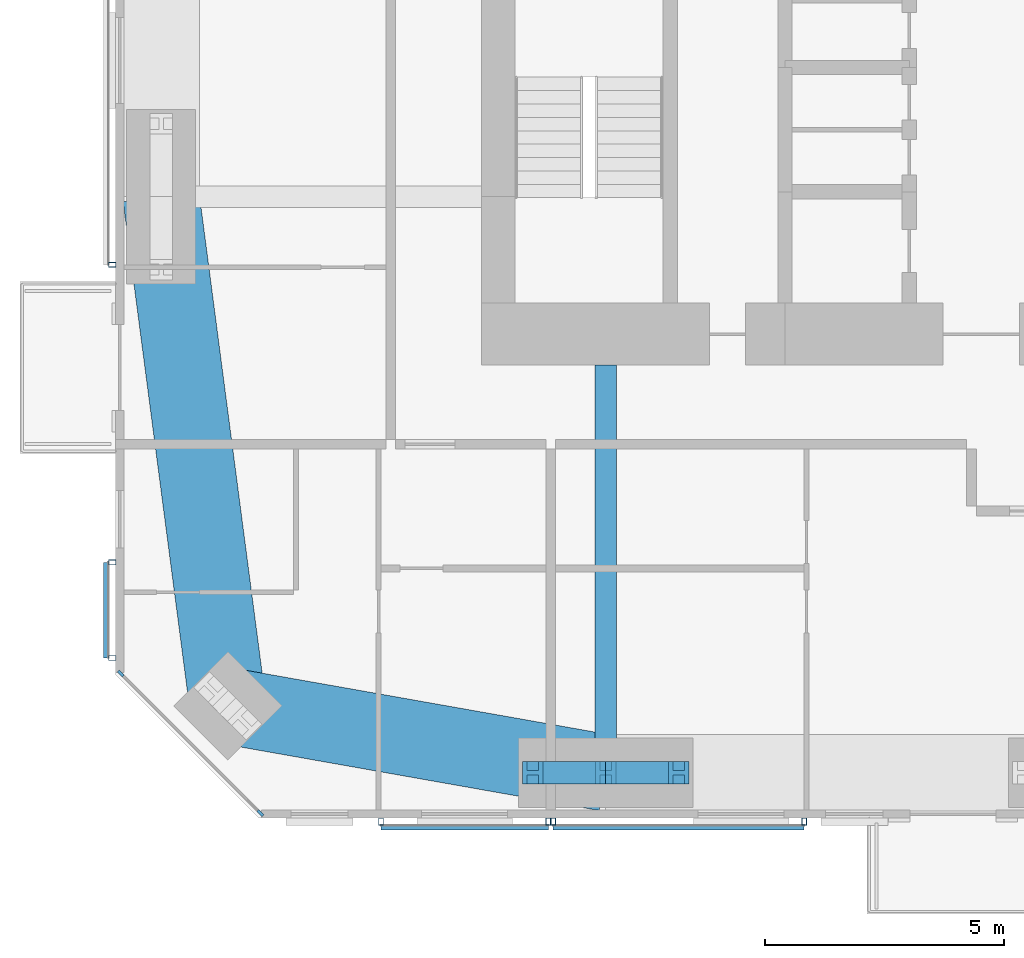
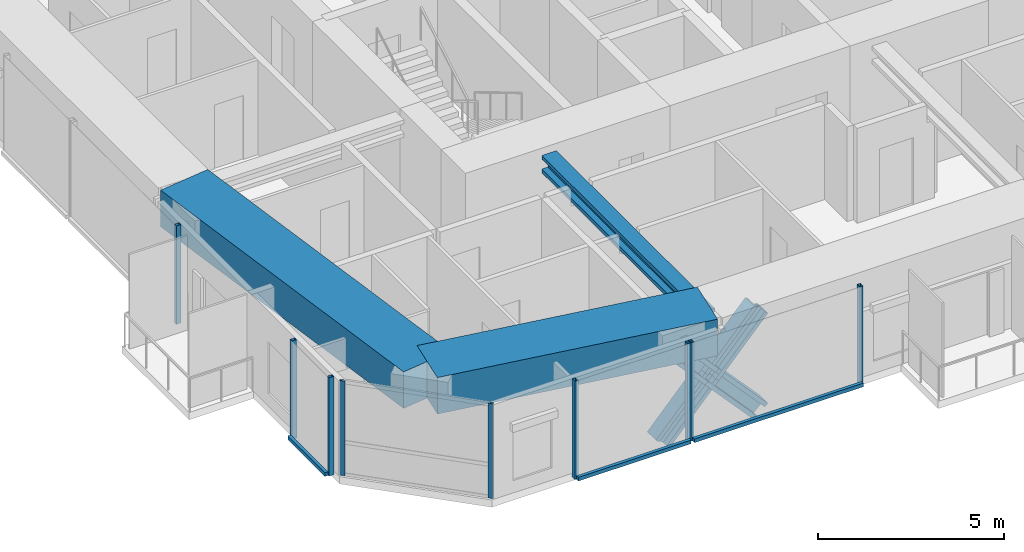
# One storey, part 2 of 23: 16 members, 3 beams, 5 elements without a shape of their own.
"""IFC4 building model written with IfcOpenShell, lengths in metres."""

from ifc_helpers import new_model, si_unit, direction, frame, origin, origin_2d, place, context, subcontext, project, spatial, rectangle, hollow_rectangle, i_section, extrude, material, material_profile, profile_set, type_object, element, aggregate, save


model = new_model("IFC4")

# Units and contexts
model_context = context("Model", 3, precision=1e-05, world=origin(), true_north=direction((0.0, 1.0)))
body_context = subcontext(model_context, "Body", "Model", "MODEL_VIEW")
ifc_project = project(units=[si_unit("LENGTHUNIT", "METRE"), si_unit("AREAUNIT", "SQUARE_METRE"), si_unit("VOLUMEUNIT", "CUBIC_METRE"), si_unit("PLANEANGLEUNIT", "RADIAN"), si_unit("MASSUNIT", "GRAM", prefix="KILO")], contexts=[model_context])

# Site, building, storey
site_placement = place(None, origin())
site = spatial("IfcSite", under=ifc_project, at=site_placement, CompositionType="ELEMENT")
building_placement = place(site_placement, origin())
building = spatial("IfcBuilding", under=site, at=building_placement, Name="Jalousie Tower", CompositionType="ELEMENT")
storey_placement = place(building_placement, frame((0.0, 0.0, 194.550048828125)))
storey = spatial("IfcBuildingStorey", under=building, at=storey_placement, Name="L53", CompositionType="ELEMENT", Elevation=194.550048828125)

# Curtain wall, members
ifc_material_1 = material(Name="Aluminium curtain wall", Category="aluminium")
curtain_wall_type_1 = type_object("IfcCurtainWallType", Name="CORNER WINDOW WALL", PredefinedType="USERDEFINED", material=ifc_material_1)
curtain_wall_1_placement = place(storey_placement, origin())
curtain_wall_1 = element("IfcCurtainWall", 1, at=curtain_wall_1_placement, inside=storey, type_object=curtain_wall_type_1, Name="Corner Window Wall L53 8", ObjectType="CORNER WINDOW WALL", PredefinedType="USERDEFINED")
ifc_material_2 = material(Name="Aluminium mullion", Category="aluminium")
ifc_material_profile_1 = material_profile(ifc_material_2, rectangle(XDim=0.06005859375, YDim=0.14990234375, at=origin_2d()), Name="MULLION 60x150")
ifc_profile_set_1 = profile_set([ifc_material_profile_1], Name="Aluminium mullion")
member_type_1 = type_object("IfcMemberType", Name="CORNER WINDOW WALL MULLION", PredefinedType="MULLION", material=ifc_profile_set_1)
member_1_placement = place(storey_placement, frame((12.108642578125, 3.030029296875, 0.0), z_axis=(0.0, 0.0, 1.0), x_axis=(0.707106781187, 0.707106781187, 0.0)))
member_1 = element("IfcMember", 2, at=member_1_placement, type_object=member_type_1, Name="CW-C mullion 1", PredefinedType="MULLION", context=body_context, shape_type="SweptSolid", body=[
    extrude(rectangle(XDim=0.06005859375, YDim=0.14990234375, at=origin_2d()), origin(), (0.0, 0.0, 1.0), 3.10986328125),
])
member_2_placement = place(storey_placement, frame((15.030029296875, 0.108642578125, 0.0), z_axis=(0.0, 0.0, 1.0), x_axis=(0.707106781187, 0.707106781187, 0.0)))
member_2 = element("IfcMember", 3, at=member_2_placement, type_object=member_type_1, Name="CW-C mullion 2", PredefinedType="MULLION", context=body_context, shape_type="SweptSolid", body=[
    extrude(rectangle(XDim=0.06005859375, YDim=0.14990234375, at=origin_2d()), origin(), (0.0, 0.0, 1.0), 3.10986328125),
])
aggregate(curtain_wall_1, [member_1, member_2])

# Beam
ifc_material_3 = material(Name="Steel ASTM A992 Grade 50", Category="steel")
ifc_material_profile_2 = material_profile(ifc_material_3, i_section(OverallWidth=0.45458984375, OverallDepth=0.569091796875, WebThickness=0.077880859375, FlangeThickness=0.124755859375, at=origin_2d()), Name="W14X730")
ifc_profile_set_2 = profile_set([ifc_material_profile_2], Name="Steel ASTM A992 Grade 50")
beam_type_1 = type_object("IfcBeamType", Name="LEAN COLLECTOR W14X730", PredefinedType="BEAM", material=ifc_profile_set_2)
beam_1_placement = place(storey_placement, frame((22.25, 0.949951171875, 2.825439453125), z_axis=(0.0, 1.0, 0.0), x_axis=(-1.0, 0.0, 0.0)))
element("IfcBeam", 4, at=beam_1_placement, inside=storey, type_object=beam_type_1, Name="Lean collector under L54", PredefinedType="BEAM", context=body_context, shape_type="SweptSolid", body=[
    extrude(i_section(OverallWidth=0.45458984375, OverallDepth=0.569091796875, WebThickness=0.077880859375, FlangeThickness=0.124755859375, at=origin_2d()), origin(), (0.0, 0.0, 1.0), 8.525146484375),
])

# Members
ifc_material_4 = material(Name="Steel ASTM A992 Grade 50", Category="steel")
ifc_material_profile_3 = material_profile(ifc_material_4, i_section(OverallWidth=0.472412109375, OverallDepth=0.5791015625, WebThickness=0.094970703125, FlangeThickness=0.1298828125, at=origin_2d()), Name="W14X808")
ifc_profile_set_3 = profile_set([ifc_material_profile_3], Name="Steel ASTM A992 Grade 50")
member_type_2 = type_object("IfcMemberType", Name="PERIMETER BRACE W14X808", PredefinedType="BRACE", material=ifc_profile_set_3)
for number, where, z_axis, x_axis, name in (
    (5, (20.72509765625, 0.949951171875, -0.60009765625), (0.673187629365, 0.0, 0.739471713908), (0.0, 1.0, 0.0), "Perimeter brace 02 L53 part 1"),
    (6, (22.25, 0.949951171875, 1.074951171875), (0.673187629365, 0.0, 0.739471713908), (0.0, 1.0, 0.0), "Perimeter brace 02 L53 part 2"),
    (7, (23.77490234375, 0.949951171875, -0.60009765625), (-0.673187629365, 0.0, 0.739471713908), (0.0, -1.0, 0.0), "Perimeter brace 02 L53 part 3"),
    (8, (22.25, 0.949951171875, 1.074951171875), (-0.673187629365, 0.0, 0.739471713908), (0.0, -1.0, 0.0), "Perimeter brace 02 L53 part 4"),
):
    element("IfcMember", number, at=place(storey_placement, frame(where, z_axis=z_axis, x_axis=x_axis)), inside=storey, type_object=member_type_2, Name=name, PredefinedType="BRACE", context=body_context, shape_type="SweptSolid", body=[
        extrude(i_section(OverallWidth=0.472412109375, OverallDepth=0.5791015625, WebThickness=0.094970703125, FlangeThickness=0.1298828125, at=origin_2d()), origin(), (0.0, 0.0, 1.0), 2.26513671875),
    ])

# Beams
ifc_material_5 = material(Name="Concrete f'c 40 MPa", Category="concrete")
ifc_material_profile_4 = material_profile(ifc_material_5, rectangle(XDim=1.60009765625, YDim=1.199951171875, at=origin_2d()), Name="RC 1600x1200")
ifc_profile_set_4 = profile_set([ifc_material_profile_4], Name="Concrete f'c 40 MPa")
beam_type_2 = type_object("IfcBeamType", Name="RC BEAM 1600x1200", PredefinedType="BEAM", material=ifc_profile_set_4)
beam_2_placement = place(storey_placement, frame((14.348388671875, 2.348388671875, 2.75), z_axis=(0.984697370688, -0.174273027632, 0.0), x_axis=(0.174273027632, 0.984697370688, 0.0)))
element("IfcBeam", 9, at=beam_2_placement, inside=storey, type_object=beam_type_2, Name="Edge band beam 01-02 under L54", PredefinedType="BEAM", context=body_context, shape_type="SweptSolid", body=[
    extrude(rectangle(XDim=1.60009765625, YDim=1.199951171875, at=origin_2d()), origin(), (0.0, 0.0, 1.0), 8.0244140625),
])
beam_3_placement = place(storey_placement, frame((12.949951171875, 13.0, 2.75), z_axis=(0.130171745558, -0.991491460709, 0.0), x_axis=(0.991491460709, 0.130171745558, 0.0)))
element("IfcBeam", 10, at=beam_3_placement, inside=storey, type_object=beam_type_2, Name="Edge band beam 14-01 under L54", PredefinedType="BEAM", context=body_context, shape_type="SweptSolid", body=[
    extrude(rectangle(XDim=1.60009765625, YDim=1.199951171875, at=origin_2d()), origin(), (0.0, 0.0, 1.0), 10.742919921875),
])

# Curtain wall, members
ifc_material_6 = material(Name="Perforated aluminium sheet", Category="aluminium")
curtain_wall_type_2 = type_object("IfcCurtainWallType", Name="SOLAR SCREEN SS-1", PredefinedType="USERDEFINED", material=ifc_material_6)
curtain_wall_2_placement = place(storey_placement, origin())
curtain_wall_2 = element("IfcCurtainWall", 11, at=curtain_wall_2_placement, inside=storey, type_object=curtain_wall_type_2, Name="Solar screen L53", ObjectType="SOLAR SCREEN SS-1", PredefinedType="USERDEFINED")
ifc_material_7 = material(Name="Steel ASTM A500 Grade C", Category="steel")
ifc_material_profile_5 = material_profile(ifc_material_7, hollow_rectangle(XDim=0.1015625, YDim=0.15234375, WallThickness=0.00634765625, at=origin_2d()), Name="HSS6X4X1/4")
ifc_profile_set_5 = profile_set([ifc_material_profile_5], Name="Steel ASTM A500 Grade C")
member_type_3 = type_object("IfcMemberType", Name="SOLAR SCREEN SS-1 MULLION", PredefinedType="MULLION", material=ifc_profile_set_5)
member_3_placement = place(storey_placement, frame((17.550048828125, -0.0712890625, -0.1201171875), z_axis=(0.0, 0.0, 1.0), x_axis=(1.0, 0.0, 0.0)))
member_3 = element("IfcMember", 12, at=member_3_placement, type_object=member_type_3, Name="SS1 post 1", PredefinedType="MULLION", context=body_context, shape_type="SweptSolid", body=[
    extrude(hollow_rectangle(XDim=0.1015625, YDim=0.15234375, WallThickness=0.00634765625, at=origin_2d()), origin(), (0.0, 0.0, 1.0), 3.22998046875),
])
member_4_placement = place(storey_placement, frame((21.050048828125, -0.0712890625, -0.1201171875), z_axis=(0.0, 0.0, 1.0), x_axis=(1.0, 0.0, 0.0)))
member_4 = element("IfcMember", 13, at=member_4_placement, type_object=member_type_3, Name="SS1 post 2", PredefinedType="MULLION", context=body_context, shape_type="SweptSolid", body=[
    extrude(hollow_rectangle(XDim=0.1015625, YDim=0.15234375, WallThickness=0.00634765625, at=origin_2d()), origin(), (0.0, 0.0, 1.0), 3.22998046875),
])

curtain_wall_3_placement = place(storey_placement, origin())
curtain_wall_3 = element("IfcCurtainWall", 14, at=curtain_wall_3_placement, inside=storey, type_object=curtain_wall_type_2, Name="Solar screen L53", ObjectType="SOLAR SCREEN SS-1", PredefinedType="USERDEFINED")
member_5_placement = place(storey_placement, frame((21.14990234375, -0.0712890625, -0.1201171875), z_axis=(0.0, 0.0, 1.0), x_axis=(1.0, 0.0, 0.0)))
member_5 = element("IfcMember", 15, at=member_5_placement, type_object=member_type_3, Name="SS1 post 1", PredefinedType="MULLION", context=body_context, shape_type="SweptSolid", body=[
    extrude(hollow_rectangle(XDim=0.1015625, YDim=0.15234375, WallThickness=0.00634765625, at=origin_2d()), origin(), (0.0, 0.0, 1.0), 3.22998046875),
])
member_6_placement = place(storey_placement, frame((26.39990234375, -0.0712890625, -0.1201171875), z_axis=(0.0, 0.0, 1.0), x_axis=(1.0, 0.0, 0.0)))
member_6 = element("IfcMember", 16, at=member_6_placement, type_object=member_type_3, Name="SS1 post 2", PredefinedType="MULLION", context=body_context, shape_type="SweptSolid", body=[
    extrude(hollow_rectangle(XDim=0.1015625, YDim=0.15234375, WallThickness=0.00634765625, at=origin_2d()), origin(), (0.0, 0.0, 1.0), 3.22998046875),
])

# Curtain wall, member
curtain_wall_4_placement = place(storey_placement, origin())
curtain_wall_4 = element("IfcCurtainWall", 17, at=curtain_wall_4_placement, inside=storey, type_object=curtain_wall_type_2, Name="Solar screen L53", ObjectType="SOLAR SCREEN SS-1", PredefinedType="USERDEFINED")
member_7_placement = place(storey_placement, frame((11.9287109375, 11.574951171875, -0.1201171875), z_axis=(0.0, 0.0, 1.0), x_axis=(0.0, -1.0, 0.0)))
member_7 = element("IfcMember", 18, at=member_7_placement, type_object=member_type_3, Name="SS1 post 2", PredefinedType="MULLION", context=body_context, shape_type="SweptSolid", body=[
    extrude(hollow_rectangle(XDim=0.1015625, YDim=0.15234375, WallThickness=0.00634765625, at=origin_2d()), origin(), (0.0, 0.0, 1.0), 3.22998046875),
])
aggregate(curtain_wall_4, [member_7])

# Curtain wall, members
curtain_wall_5_placement = place(storey_placement, origin())
curtain_wall_5 = element("IfcCurtainWall", 19, at=curtain_wall_5_placement, inside=storey, type_object=curtain_wall_type_2, Name="Solar screen L53", ObjectType="SOLAR SCREEN SS-1", PredefinedType="USERDEFINED")
member_8_placement = place(storey_placement, frame((11.9287109375, 5.35009765625, -0.1201171875), z_axis=(0.0, 0.0, 1.0), x_axis=(0.0, -1.0, 0.0)))
member_8 = element("IfcMember", 20, at=member_8_placement, type_object=member_type_3, Name="SS1 post 1", PredefinedType="MULLION", context=body_context, shape_type="SweptSolid", body=[
    extrude(hollow_rectangle(XDim=0.1015625, YDim=0.15234375, WallThickness=0.00634765625, at=origin_2d()), origin(), (0.0, 0.0, 1.0), 3.22998046875),
])
member_9_placement = place(storey_placement, frame((11.9287109375, 3.351318359375, -0.1201171875), z_axis=(0.0, 0.0, 1.0), x_axis=(0.0, -1.0, 0.0)))
member_9 = element("IfcMember", 21, at=member_9_placement, type_object=member_type_3, Name="SS1 post 2", PredefinedType="MULLION", context=body_context, shape_type="SweptSolid", body=[
    extrude(hollow_rectangle(XDim=0.1015625, YDim=0.15234375, WallThickness=0.00634765625, at=origin_2d()), origin(), (0.0, 0.0, 1.0), 3.22998046875),
])

# Member
ifc_material_8 = material(Name="Extruded aluminium screen rail", Category="aluminium")
ifc_material_profile_6 = material_profile(ifc_material_8, rectangle(XDim=0.1015625, YDim=0.1201171875, at=origin_2d()), Name="RAIL 102x120")
ifc_profile_set_6 = profile_set([ifc_material_profile_6], Name="Extruded aluminium screen rail")
member_type_4 = type_object("IfcMemberType", Name="SOLAR SCREEN SS-1 TRANSOM", PredefinedType="USERDEFINED", material=ifc_profile_set_6)
member_10_placement = place(storey_placement, frame((17.550048828125, -0.1982421875, -0.06005859375), z_axis=(1.0, 0.0, 0.0), x_axis=(0.0, 1.0, 0.0)))
member_10 = element("IfcMember", 22, at=member_10_placement, type_object=member_type_4, Name="SS1 rail", ObjectType="TRANSOM", PredefinedType="USERDEFINED", context=body_context, shape_type="SweptSolid", body=[
    extrude(rectangle(XDim=0.1015625, YDim=0.1201171875, at=origin_2d()), origin(), (0.0, 0.0, 1.0), 3.5),
])

aggregate(curtain_wall_2, [member_3, member_4, member_10])

member_11_placement = place(storey_placement, frame((21.14990234375, -0.1982421875, -0.06005859375), z_axis=(1.0, 0.0, 0.0), x_axis=(0.0, 1.0, 0.0)))
member_11 = element("IfcMember", 23, at=member_11_placement, type_object=member_type_4, Name="SS1 rail", ObjectType="TRANSOM", PredefinedType="USERDEFINED", context=body_context, shape_type="SweptSolid", body=[
    extrude(rectangle(XDim=0.1015625, YDim=0.1201171875, at=origin_2d()), origin(), (0.0, 0.0, 1.0), 5.25),
])

aggregate(curtain_wall_3, [member_5, member_6, member_11])

member_12_placement = place(storey_placement, frame((11.8017578125, 5.35009765625, -0.06005859375), z_axis=(0.0, -1.0, 0.0), x_axis=(1.0, 0.0, 0.0)))
member_12 = element("IfcMember", 24, at=member_12_placement, type_object=member_type_4, Name="SS1 rail", ObjectType="TRANSOM", PredefinedType="USERDEFINED", context=body_context, shape_type="SweptSolid", body=[
    extrude(rectangle(XDim=0.1015625, YDim=0.1201171875, at=origin_2d()), origin(), (0.0, 0.0, 1.0), 1.998779296875),
])

aggregate(curtain_wall_5, [member_8, member_9, member_12])

save(model, "model.ifc")
